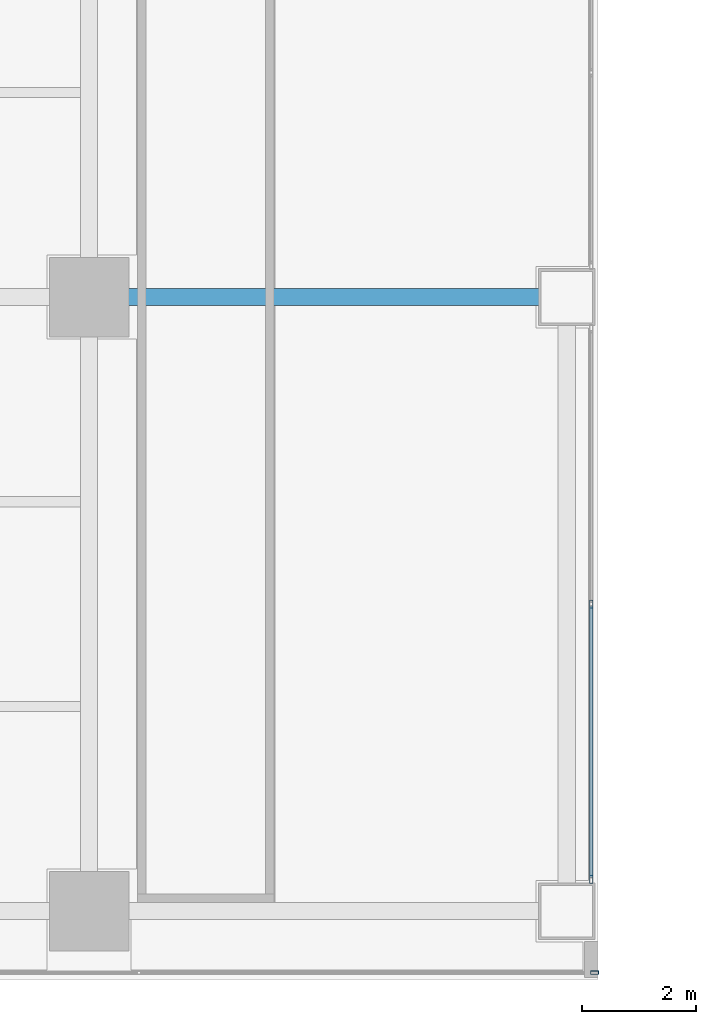
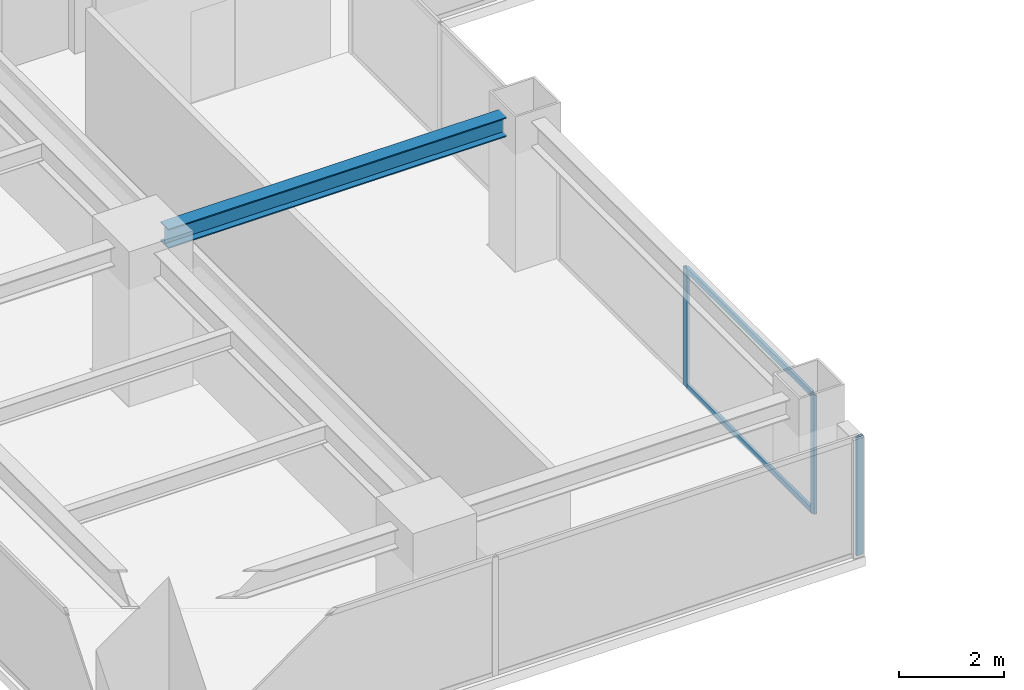
# One storey, part 5 of 28: 5 members, 1 beam, 2 elements without a shape of their own.
"""IFC4 building model written with IfcOpenShell, lengths in metres."""

from ifc_helpers import new_model, si_unit, direction, frame, origin, origin_2d, place, context, subcontext, project, spatial, hollow_rectangle, i_section, extrude, source, transform, mapped, material, layer, layer_set, material_profile, profile_set, type_object, element, aggregate, save


model = new_model("IFC4")

# Units and contexts
model_context = context("Model", 3, precision=1e-05, world=origin(), true_north=direction((0.0, 1.0)))
body_context = subcontext(model_context, "Body", "Model", "MODEL_VIEW")
ifc_project = project(units=[si_unit("LENGTHUNIT", "METRE"), si_unit("AREAUNIT", "SQUARE_METRE"), si_unit("VOLUMEUNIT", "CUBIC_METRE"), si_unit("PLANEANGLEUNIT", "RADIAN"), si_unit("MASSUNIT", "GRAM", prefix="KILO")], contexts=[model_context])

# Site, building, storey
site_placement = place(None, origin())
site = spatial("IfcSite", under=ifc_project, at=site_placement, CompositionType="ELEMENT")
building_placement = place(site_placement, origin())
building = spatial("IfcBuilding", under=site, at=building_placement, Name="Sumidabori Civic Tower", CompositionType="ELEMENT")
storey_placement = place(building_placement, frame((0.0, 0.0, 210.800048828125)))
storey = spatial("IfcBuildingStorey", under=building, at=storey_placement, Name="L54", CompositionType="ELEMENT", Elevation=210.800048828125)

# Beam
ifc_material_1 = material(Name="Steel SN490", Category="steel")
ifc_material_profile_1 = material_profile(ifc_material_1, i_section(OverallWidth=0.300048828125, OverallDepth=0.449951171875, WebThickness=0.013916015625, FlangeThickness=0.02587890625, at=origin_2d()), Name="HE 450 B")
ifc_profile_set_1 = profile_set([ifc_material_profile_1], Name="Steel SN490")
beam_type = type_object("IfcBeamType", Name="BM-GIRD-450", PredefinedType="BEAM", material=ifc_profile_set_1)
shared_shape_1 = source(origin(), body_context, "Body", "SweptSolid", [
    extrude(i_section(OverallWidth=0.300048828125, OverallDepth=0.449951171875, WebThickness=0.013916015625, FlangeThickness=0.02587890625, at=origin_2d()), origin(), (0.0, 0.0, 1.0), 7.440185546875),
])
beam_placement = place(storey_placement, frame((-16.320068359375, 0.0, 3.155029296875), z_axis=(1.0, 0.0, 0.0), x_axis=(0.0, 1.0, 0.0)))
element("IfcBeam", 1, at=beam_placement, inside=storey, type_object=beam_type, Name="Primary Girder L54 GX-06", PredefinedType="BEAM", context=body_context, shape_type="MappedRepresentation", body=[
    mapped(shared_shape_1, transform((0.0, 0.0, 0.0), x_axis=(1.0, 0.0, 0.0), y_axis=(0.0, 1.0, 0.0), z_axis=(0.0, 0.0, 1.0), scale=1.0)),
])

# Curtain wall, member
ifc_material_2 = material(Name="Anodised Bronze Aluminium AW-6063-T6", Category="aluminium")
ifc_layer_1 = layer(ifc_material_2, 0.179931640625, Name="Anodised Bronze Aluminium AW-6063-T6")
ifc_layer_set_1 = layer_set([ifc_layer_1], Name="Anodised Bronze Aluminium AW-6063-T6")
curtain_wall_type_1 = type_object("IfcCurtainWallType", Name="CW-SYS-5", PredefinedType="NOTDEFINED", material=ifc_layer_set_1)
curtain_wall_1_placement = place(storey_placement, origin())
curtain_wall_1 = element("IfcCurtainWall", 2, at=curtain_wall_1_placement, inside=storey, type_object=curtain_wall_type_1, Name="Curtain Wall CW:L54:R01", PredefinedType="NOTDEFINED")
ifc_material_profile_2 = material_profile(ifc_material_2, hollow_rectangle(XDim=0.06005859375, YDim=0.139892578125, WallThickness=0.0048828125, at=origin_2d()), Name="ALU MULLION 140x60")
ifc_profile_set_2 = profile_set([ifc_material_profile_2], Name="Anodised Bronze Aluminium AW-6063-T6")
member_type_1 = type_object("IfcMemberType", Name="CW-MUL-140", PredefinedType="MULLION", material=ifc_profile_set_2)
shared_shape_2 = source(origin(), body_context, "Body", "SweptSolid", [
    extrude(hollow_rectangle(XDim=0.06005859375, YDim=0.139892578125, WallThickness=0.0048828125, at=origin_2d()), origin(), (0.0, 0.0, 1.0), 2.760009765625),
])
member_1_placement = place(storey_placement, frame((-7.909912109375, -11.8798828125, 0.0), z_axis=(0.0, 0.0, 1.0), x_axis=(0.0, 1.0, 0.0)))
member_1 = element("IfcMember", 3, at=member_1_placement, type_object=member_type_1, Name="CW-5 mullion 3", PredefinedType="MULLION", context=body_context, shape_type="MappedRepresentation", body=[
    mapped(shared_shape_2, transform((0.0, 0.0, 0.0), x_axis=(1.0, 0.0, 0.0), y_axis=(0.0, 1.0, 0.0), z_axis=(0.0, 0.0, 1.0), scale=1.0)),
])
aggregate(curtain_wall_1, [member_1])

# Curtain wall, members
ifc_layer_2 = layer(ifc_material_2, 0.179931640625, Name="Anodised Bronze Aluminium AW-6063-T6")
ifc_layer_set_2 = layer_set([ifc_layer_2], Name="Anodised Bronze Aluminium AW-6063-T6")
curtain_wall_type_2 = type_object("IfcCurtainWallType", Name="CW-SYS-4", PredefinedType="NOTDEFINED", material=ifc_layer_set_2)
curtain_wall_2_placement = place(storey_placement, origin())
curtain_wall_2 = element("IfcCurtainWall", 4, at=curtain_wall_2_placement, inside=storey, type_object=curtain_wall_type_2, Name="Curtain Wall CW:L54:R03", PredefinedType="NOTDEFINED")
member_2_placement = place(storey_placement, frame((-7.969970703125, -10.239990234375, 0.0), z_axis=(0.0, 0.0, 1.0), x_axis=(-1.0, 0.0, 0.0)))
member_2 = element("IfcMember", 5, at=member_2_placement, type_object=member_type_1, Name="CW-4 mullion 1", PredefinedType="MULLION", context=body_context, shape_type="MappedRepresentation", body=[
    mapped(shared_shape_2, transform((0.0, 0.0, 0.0), x_axis=(1.0, 0.0, 0.0), y_axis=(0.0, 1.0, 0.0), z_axis=(0.0, 0.0, 1.0), scale=1.0)),
])
member_3_placement = place(storey_placement, frame((-7.969970703125, -5.39990234375, 0.0), z_axis=(0.0, 0.0, 1.0), x_axis=(-1.0, 0.0, 0.0)))
member_3 = element("IfcMember", 6, at=member_3_placement, type_object=member_type_1, Name="CW-4 mullion 2", PredefinedType="MULLION", context=body_context, shape_type="MappedRepresentation", body=[
    mapped(shared_shape_2, transform((0.0, 0.0, 0.0), x_axis=(1.0, 0.0, 0.0), y_axis=(0.0, 1.0, 0.0), z_axis=(0.0, 0.0, 1.0), scale=1.0)),
])
ifc_material_profile_3 = material_profile(ifc_material_2, hollow_rectangle(XDim=0.06005859375, YDim=0.1298828125, WallThickness=0.0048828125, at=origin_2d()), Name="ALU TRANSOM 130x60")
ifc_profile_set_3 = profile_set([ifc_material_profile_3], Name="Anodised Bronze Aluminium AW-6063-T6")
member_type_2 = type_object("IfcMemberType", Name="CW-TRN-130", PredefinedType="USERDEFINED", material=ifc_profile_set_3)
shared_shape_3 = source(origin(), body_context, "Body", "SweptSolid", [
    extrude(hollow_rectangle(XDim=0.06005859375, YDim=0.1298828125, WallThickness=0.0048828125, at=origin_2d()), origin(), (0.0, 0.0, 1.0), 4.780029296875),
])
member_4_placement = place(storey_placement, frame((-7.969970703125, -10.2099609375, 0.030029296875), z_axis=(0.0, 1.0, 0.0), x_axis=(-1.0, 0.0, 0.0)))
member_4 = element("IfcMember", 7, at=member_4_placement, type_object=member_type_2, Name="CW-4 transom 1.1", ObjectType="TRANSOM", PredefinedType="USERDEFINED", context=body_context, shape_type="MappedRepresentation", body=[
    mapped(shared_shape_3, transform((0.0, 0.0, 0.0), x_axis=(1.0, 0.0, 0.0), y_axis=(0.0, 1.0, 0.0), z_axis=(0.0, 0.0, 1.0), scale=1.0)),
])
member_5_placement = place(storey_placement, frame((-7.969970703125, -10.2099609375, 2.72998046875), z_axis=(0.0, 1.0, 0.0), x_axis=(-1.0, 0.0, 0.0)))
member_5 = element("IfcMember", 8, at=member_5_placement, type_object=member_type_2, Name="CW-4 transom 1.2", ObjectType="TRANSOM", PredefinedType="USERDEFINED", context=body_context, shape_type="MappedRepresentation", body=[
    mapped(shared_shape_3, transform((0.0, 0.0, 0.0), x_axis=(1.0, 0.0, 0.0), y_axis=(0.0, 1.0, 0.0), z_axis=(0.0, 0.0, 1.0), scale=1.0)),
])
aggregate(curtain_wall_2, [member_2, member_3, member_4, member_5])

save(model, "model.ifc")
